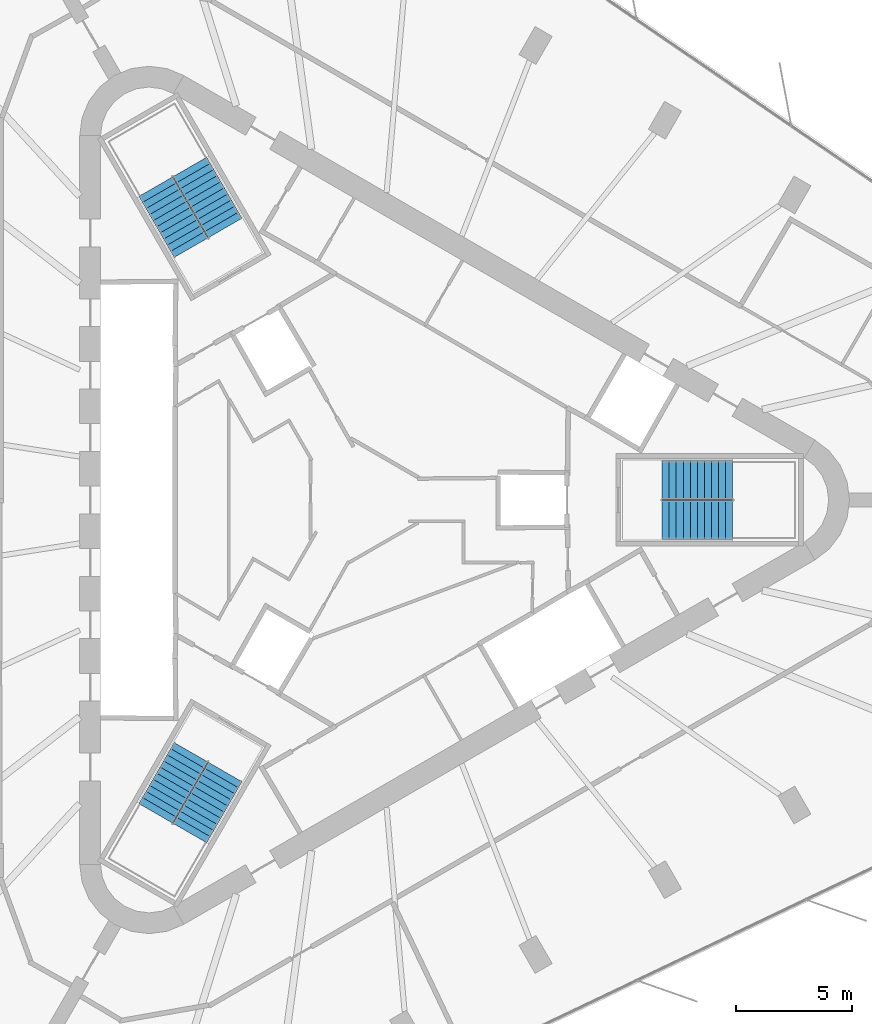
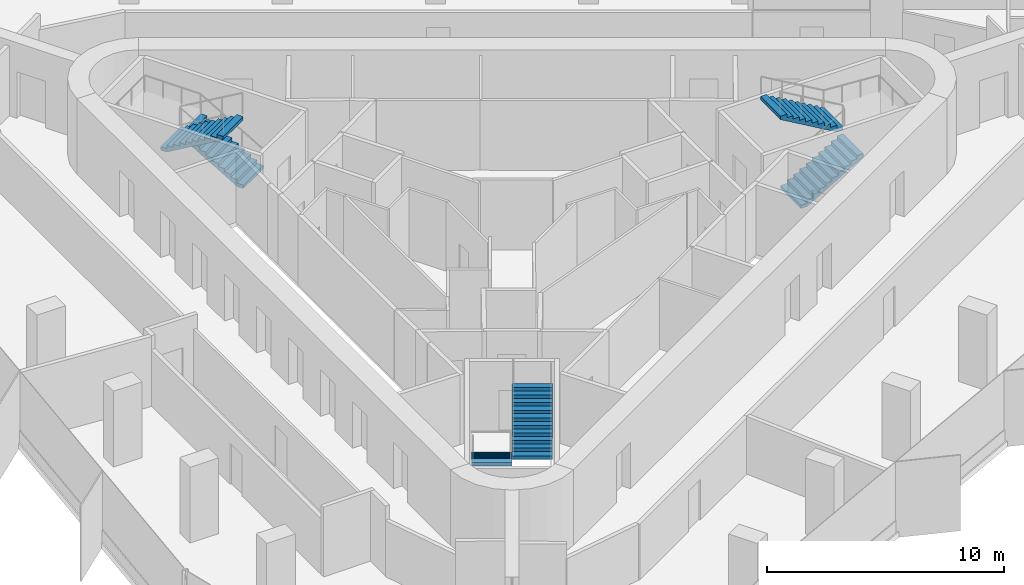
# One storey, part 13 of 14: 6 stair flights, 3 elements without a shape of their own.
"""IFC4 building model written with IfcOpenShell, lengths in metres."""

from ifc_helpers import new_model, si_unit, direction, frame, origin, place, context, subcontext, project, spatial, polyline, outline, extrude, material, type_object, element, aggregate, save


model = new_model("IFC4")

# Units and contexts
model_context = context("Model", 3, precision=1e-05, world=origin(), true_north=direction((0.0, 1.0)))
body_context = subcontext(model_context, "Body", "Model", "MODEL_VIEW")
ifc_project = project(units=[si_unit("LENGTHUNIT", "METRE"), si_unit("AREAUNIT", "SQUARE_METRE"), si_unit("VOLUMEUNIT", "CUBIC_METRE"), si_unit("PLANEANGLEUNIT", "RADIAN"), si_unit("MASSUNIT", "GRAM", prefix="KILO")], contexts=[model_context])

# Site, building, storey
site_placement = place(None, origin())
site = spatial("IfcSite", under=ifc_project, at=site_placement, CompositionType="ELEMENT")
building_placement = place(site_placement, origin())
building = spatial("IfcBuilding", under=site, at=building_placement, Name="Tanit Gate Tower", CompositionType="ELEMENT")
storey_placement = place(building_placement, frame((0.0, 0.0, 306.5)))
storey = spatial("IfcBuildingStorey", under=building, at=storey_placement, Name="L68", CompositionType="ELEMENT", Elevation=306.5)

# Stair, stair flights
ifc_material_1 = material(Name="Concrete C40/50", Category="concrete")
stair_type = type_object("IfcStairType", Name="INT-STAIR-EXIT", PredefinedType="HALF_TURN_STAIR", material=ifc_material_1)
stair_1_placement = place(storey_placement, origin())
stair_1 = element("IfcStair", 1, at=stair_1_placement, inside=storey, type_object=stair_type, Name="L68 STAIR S1", PredefinedType="HALF_TURN_STAIR")
ifc_material_2 = material(Name="Concrete C40/50", Category="concrete")
stair_flight_type = type_object("IfcStairFlightType", Name="INT-STAIR-FLIGHT", PredefinedType="STRAIGHT", material=ifc_material_2)
stair_flight_1_placement = place(storey_placement, frame((13.094970703125, -0.8525390625, 0.0), z_axis=(0.0, 0.0, 1.0), x_axis=(1.0, 0.0, 0.0)))
stair_flight_1 = element("IfcStairFlight", 2, at=stair_flight_1_placement, type_object=stair_flight_type, Name="S1 flight 1", NumberOfRisers=11, NumberOfTreads=10, PredefinedType="STRAIGHT", RiserHeight=0.177272727, TreadLength=0.3051, context=body_context, shape_type="SweptSolid", body=[
    extrude(outline(polyline([(0.0, 0.0), (0.0, 0.17724609375), (0.30517578125, 0.17724609375), (0.30517578125, 0.3544921875), (0.610107421875, 0.3544921875), (0.610107421875, 0.53173828125), (0.915283203125, 0.53173828125), (0.915283203125, 0.708984375), (1.220458984375, 0.708984375), (1.220458984375, 0.886474609375), (1.525390625, 0.886474609375), (1.525390625, 1.063720703125), (1.83056640625, 1.063720703125), (1.83056640625, 1.240966796875), (2.1357421875, 1.240966796875), (2.1357421875, 1.418212890625), (2.44091796875, 1.418212890625), (2.44091796875, 1.595458984375), (2.745849609375, 1.595458984375), (2.745849609375, 1.772705078125), (3.051025390625, 1.772705078125), (3.051025390625, 1.949951171875), (3.051025390625, 1.599365234375), (0.29833984375, 0.0), (0.0, 0.0)])), frame((0.0, 0.84765625, 0.0), z_axis=(0.0, -1.0, 0.0), x_axis=(1.0, 0.0, 0.0)), (0.0, 0.0, 1.0), 1.695068359375),
])
stair_flight_2_placement = place(storey_placement, frame((16.14599609375, 0.8525390625, 1.949951171875), z_axis=(0.0, 0.0, 1.0), x_axis=(-1.0, 0.0, 0.0)))
stair_flight_2 = element("IfcStairFlight", 3, at=stair_flight_2_placement, type_object=stair_flight_type, Name="S1 flight 2", NumberOfRisers=11, NumberOfTreads=10, PredefinedType="STRAIGHT", RiserHeight=0.177272727, TreadLength=0.3051, context=body_context, shape_type="SweptSolid", body=[
    extrude(outline(polyline([(0.0, 0.0), (0.0, 0.17724609375), (0.30517578125, 0.17724609375), (0.30517578125, 0.3544921875), (0.610107421875, 0.3544921875), (0.610107421875, 0.53173828125), (0.915283203125, 0.53173828125), (0.915283203125, 0.708984375), (1.220458984375, 0.708984375), (1.220458984375, 0.886474609375), (1.525390625, 0.886474609375), (1.525390625, 1.063720703125), (1.83056640625, 1.063720703125), (1.83056640625, 1.240966796875), (2.1357421875, 1.240966796875), (2.1357421875, 1.418212890625), (2.44091796875, 1.418212890625), (2.44091796875, 1.595458984375), (2.745849609375, 1.595458984375), (2.745849609375, 1.772705078125), (3.051025390625, 1.772705078125), (3.051025390625, 1.949951171875), (3.051025390625, 1.599365234375), (0.29833984375, 0.0), (0.0, 0.0)])), frame((0.0, 0.84765625, 0.0), z_axis=(0.0, -1.0, 0.0), x_axis=(1.0, 0.0, 0.0)), (0.0, 0.0, 1.0), 1.695068359375),
])
aggregate(stair_1, [stair_flight_1, stair_flight_2])

stair_2_placement = place(storey_placement, origin())
stair_2 = element("IfcStair", 4, at=stair_2_placement, inside=storey, type_object=stair_type, Name="L68 STAIR S2", PredefinedType="HALF_TURN_STAIR")
stair_flight_3_placement = place(storey_placement, frame((-5.808349609375, 11.766357421875, 0.0), z_axis=(0.0, 0.0, 1.0), x_axis=(-0.5, 0.866025403784, 0.0)))
stair_flight_3 = element("IfcStairFlight", 5, at=stair_flight_3_placement, type_object=stair_flight_type, Name="S2 flight 1", NumberOfRisers=11, NumberOfTreads=10, PredefinedType="STRAIGHT", RiserHeight=0.177272727, TreadLength=0.30492, context=body_context, shape_type="SweptSolid", body=[
    extrude(outline(polyline([(0.0, 0.0), (0.0, 0.17724609375), (0.304931640625, 0.17724609375), (0.304931640625, 0.3544921875), (0.60986328125, 0.3544921875), (0.60986328125, 0.53173828125), (0.914794921875, 0.53173828125), (0.914794921875, 0.708984375), (1.2197265625, 0.708984375), (1.2197265625, 0.886474609375), (1.524658203125, 0.886474609375), (1.524658203125, 1.063720703125), (1.82958984375, 1.063720703125), (1.82958984375, 1.240966796875), (2.134521484375, 1.240966796875), (2.134521484375, 1.418212890625), (2.439453125, 1.418212890625), (2.439453125, 1.595458984375), (2.744384765625, 1.595458984375), (2.744384765625, 1.772705078125), (3.04931640625, 1.772705078125), (3.04931640625, 1.949951171875), (3.04931640625, 1.599365234375), (0.29833984375, 0.0), (0.0, 0.0)])), frame((0.0, 0.84716796875, 0.0), z_axis=(0.0, -1.0, 0.0), x_axis=(1.0, 0.0, 0.0)), (0.0, 0.0, 1.0), 1.694091796875),
])
stair_flight_4_placement = place(storey_placement, frame((-8.810302734375, 13.553955078125, 1.949951171875), z_axis=(0.0, 0.0, 1.0), x_axis=(0.5, -0.866025403784, 0.0)))
stair_flight_4 = element("IfcStairFlight", 6, at=stair_flight_4_placement, type_object=stair_flight_type, Name="S2 flight 2", NumberOfRisers=11, NumberOfTreads=10, PredefinedType="STRAIGHT", RiserHeight=0.177272727, TreadLength=0.30492, context=body_context, shape_type="SweptSolid", body=[
    extrude(outline(polyline([(0.0, 0.0), (0.0, 0.17724609375), (0.304931640625, 0.17724609375), (0.304931640625, 0.3544921875), (0.60986328125, 0.3544921875), (0.60986328125, 0.53173828125), (0.914794921875, 0.53173828125), (0.914794921875, 0.708984375), (1.2197265625, 0.708984375), (1.2197265625, 0.886474609375), (1.524658203125, 0.886474609375), (1.524658203125, 1.063720703125), (1.82958984375, 1.063720703125), (1.82958984375, 1.240966796875), (2.134521484375, 1.240966796875), (2.134521484375, 1.418212890625), (2.439453125, 1.418212890625), (2.439453125, 1.595458984375), (2.744384765625, 1.595458984375), (2.744384765625, 1.772705078125), (3.04931640625, 1.772705078125), (3.04931640625, 1.949951171875), (3.04931640625, 1.599365234375), (0.29833984375, 0.0), (0.0, 0.0)])), frame((0.0, 0.84716796875, 0.0), z_axis=(0.0, -1.0, 0.0), x_axis=(1.0, 0.0, 0.0)), (0.0, 0.0, 1.0), 1.694091796875),
])
aggregate(stair_2, [stair_flight_3, stair_flight_4])

stair_3_placement = place(storey_placement, origin())
stair_3 = element("IfcStair", 7, at=stair_3_placement, inside=storey, type_object=stair_type, Name="L68 STAIR S3", PredefinedType="HALF_TURN_STAIR")
stair_flight_5_placement = place(storey_placement, frame((-7.285888671875, -10.914306640625, 0.0), z_axis=(0.0, 0.0, 1.0), x_axis=(-0.5, -0.866025403784, 0.0)))
stair_flight_5 = element("IfcStairFlight", 8, at=stair_flight_5_placement, type_object=stair_flight_type, Name="S3 flight 1", NumberOfRisers=11, NumberOfTreads=10, PredefinedType="STRAIGHT", RiserHeight=0.177272727, TreadLength=0.3051, context=body_context, shape_type="SweptSolid", body=[
    extrude(outline(polyline([(0.0, 0.0), (0.0, 0.17724609375), (0.30517578125, 0.17724609375), (0.30517578125, 0.3544921875), (0.610107421875, 0.3544921875), (0.610107421875, 0.53173828125), (0.915283203125, 0.53173828125), (0.915283203125, 0.708984375), (1.220458984375, 0.708984375), (1.220458984375, 0.886474609375), (1.525390625, 0.886474609375), (1.525390625, 1.063720703125), (1.83056640625, 1.063720703125), (1.83056640625, 1.240966796875), (2.1357421875, 1.240966796875), (2.1357421875, 1.418212890625), (2.44091796875, 1.418212890625), (2.44091796875, 1.595458984375), (2.745849609375, 1.595458984375), (2.745849609375, 1.772705078125), (3.051025390625, 1.772705078125), (3.051025390625, 1.949951171875), (3.051025390625, 1.599365234375), (0.29833984375, 0.0), (0.0, 0.0)])), frame((0.0, 0.84765625, 0.0), z_axis=(0.0, -1.0, 0.0), x_axis=(1.0, 0.0, 0.0)), (0.0, 0.0, 1.0), 1.695068359375),
])
stair_flight_6_placement = place(storey_placement, frame((-7.334716796875, -14.4091796875, 1.949951171875), z_axis=(0.0, 0.0, 1.0), x_axis=(0.5, 0.866025403784, 0.0)))
stair_flight_6 = element("IfcStairFlight", 9, at=stair_flight_6_placement, type_object=stair_flight_type, Name="S3 flight 2", NumberOfRisers=11, NumberOfTreads=10, PredefinedType="STRAIGHT", RiserHeight=0.177272727, TreadLength=0.3051, context=body_context, shape_type="SweptSolid", body=[
    extrude(outline(polyline([(0.0, 0.0), (0.0, 0.17724609375), (0.30517578125, 0.17724609375), (0.30517578125, 0.3544921875), (0.610107421875, 0.3544921875), (0.610107421875, 0.53173828125), (0.915283203125, 0.53173828125), (0.915283203125, 0.708984375), (1.220458984375, 0.708984375), (1.220458984375, 0.886474609375), (1.525390625, 0.886474609375), (1.525390625, 1.063720703125), (1.83056640625, 1.063720703125), (1.83056640625, 1.240966796875), (2.1357421875, 1.240966796875), (2.1357421875, 1.418212890625), (2.44091796875, 1.418212890625), (2.44091796875, 1.595458984375), (2.745849609375, 1.595458984375), (2.745849609375, 1.772705078125), (3.051025390625, 1.772705078125), (3.051025390625, 1.949951171875), (3.051025390625, 1.599365234375), (0.29833984375, 0.0), (0.0, 0.0)])), frame((0.0, 0.84765625, 0.0), z_axis=(0.0, -1.0, 0.0), x_axis=(1.0, 0.0, 0.0)), (0.0, 0.0, 1.0), 1.695068359375),
])
aggregate(stair_3, [stair_flight_5, stair_flight_6])

save(model, "model.ifc")
